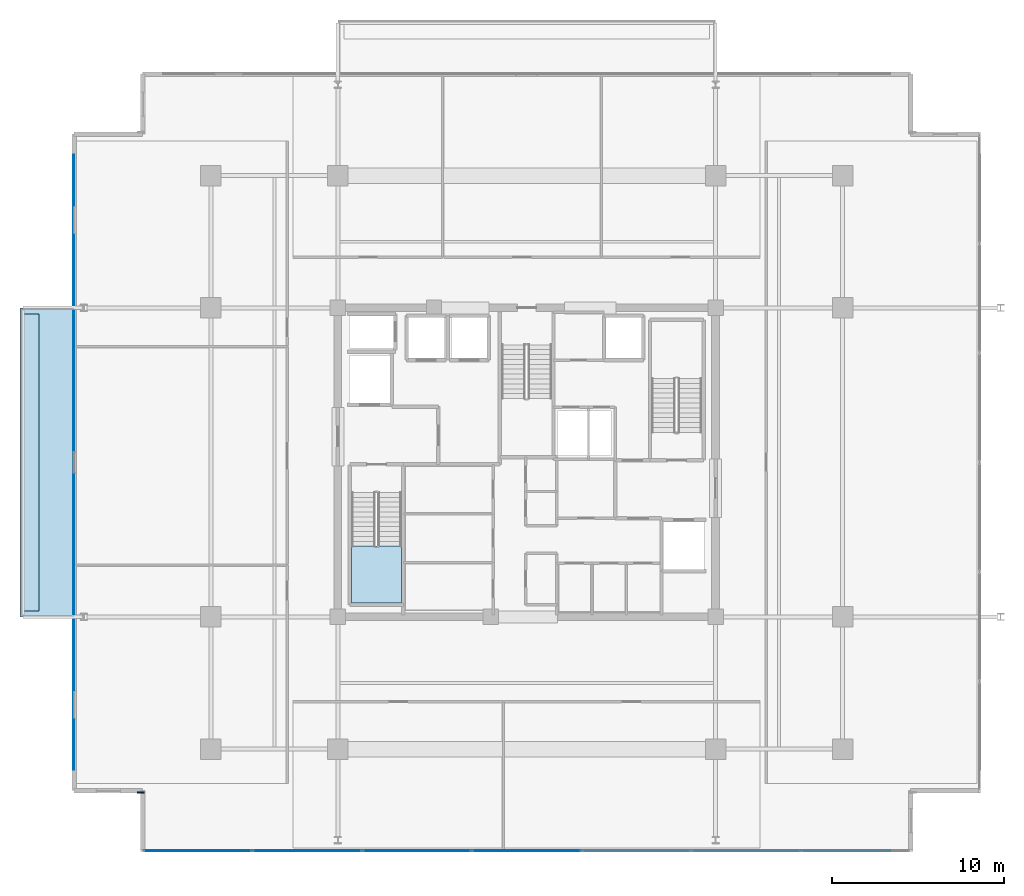
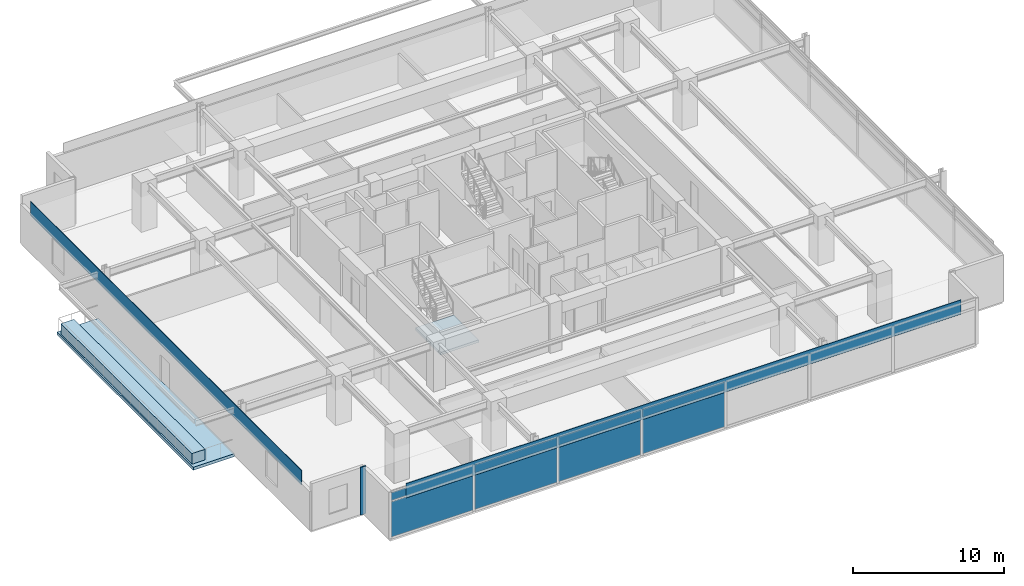
# One storey, part 12 of 21: 11 plates, 3 slabs, 2 elements without a shape of their own.
"""IFC4 building model written with IfcOpenShell, lengths in metres."""

from ifc_helpers import new_model, si_unit, direction, frame, origin, origin_2d, place, context, subcontext, project, spatial, polyline, rectangle, outline, extrude, material, layer, layer_set, type_object, element, aggregate, save


model = new_model("IFC4")

# Units and contexts
model_context = context("Model", 3, precision=1e-05, world=origin(), true_north=direction((0.0, 1.0)))
body_context = subcontext(model_context, "Body", "Model", "MODEL_VIEW")
ifc_project = project(units=[si_unit("LENGTHUNIT", "METRE"), si_unit("AREAUNIT", "SQUARE_METRE"), si_unit("VOLUMEUNIT", "CUBIC_METRE"), si_unit("PLANEANGLEUNIT", "RADIAN"), si_unit("MASSUNIT", "GRAM", prefix="KILO")], contexts=[model_context])

# Site, building, storey
site_placement = place(None, origin())
site = spatial("IfcSite", under=ifc_project, at=site_placement, CompositionType="ELEMENT")
building_placement = place(site_placement, origin())
building = spatial("IfcBuilding", under=site, at=building_placement, Name="Kovane Verandah Tower", CompositionType="ELEMENT")
storey_placement = place(building_placement, frame((0.0, 0.0, 247.199951171875)))
storey = spatial("IfcBuildingStorey", under=building, at=storey_placement, Name="L57", CompositionType="ELEMENT", Elevation=247.199951171875)

# Curtain wall, plates
ifc_material_1 = material(Name="Champagne Anodised Aluminium Frame with Low-E Clear Laminated Glass", Category="aluminium")
curtain_wall_type = type_object("IfcCurtainWallType", Name="CW-SYS-05-HIGH", PredefinedType="NOTDEFINED", material=ifc_material_1)
curtain_wall_placement = place(storey_placement, origin())
curtain_wall = element("IfcCurtainWall", 1, at=curtain_wall_placement, inside=storey, type_object=curtain_wall_type, Name="L57 S Unitised Curtain Wall", PredefinedType="NOTDEFINED")
ifc_material_2 = material(Name="Pale Champagne Anodised Aluminium Insulated Spandrel", Category="aluminium")
ifc_layer_1 = layer(ifc_material_2, 0.0400390625)
ifc_layer_set_1 = layer_set([ifc_layer_1], Name="Pale Champagne Anodised Aluminium Insulated Spandrel")
plate_type_1 = type_object("IfcPlateType", Name="PL-CW-SPD-40", PredefinedType="SHEET", material=ifc_layer_set_1)
plate_1_placement = place(storey_placement, frame((20.82861328125, 4.8818359375, 3.05517578125), z_axis=(0.0, 0.0, 1.0), x_axis=(1.0, 0.0, 0.0)))
plate_1 = element("IfcPlate", 2, at=plate_1_placement, type_object=plate_type_1, Name="L57 S Unitised Curtain Wall Spandrel Panel 1", PredefinedType="SHEET", context=body_context, shape_type="SweptSolid", body=[
    extrude(rectangle(XDim=6.25048828125, YDim=0.0400390625, at=origin_2d()), origin(), (0.0, 0.0, 1.0), 0.639892578125),
])
plate_2_placement = place(storey_placement, frame((27.218994140625, 4.8818359375, 3.05517578125), z_axis=(0.0, 0.0, 1.0), x_axis=(1.0, 0.0, 0.0)))
plate_2 = element("IfcPlate", 3, at=plate_2_placement, type_object=plate_type_1, Name="L57 S Unitised Curtain Wall Spandrel Panel 2", PredefinedType="SHEET", context=body_context, shape_type="SweptSolid", body=[
    extrude(rectangle(XDim=6.25048828125, YDim=0.0400390625, at=origin_2d()), origin(), (0.0, 0.0, 1.0), 0.639892578125),
])
plate_3_placement = place(storey_placement, frame((33.609619140625, 4.8818359375, 3.05517578125), z_axis=(0.0, 0.0, 1.0), x_axis=(1.0, 0.0, 0.0)))
plate_3 = element("IfcPlate", 4, at=plate_3_placement, type_object=plate_type_1, Name="L57 S Unitised Curtain Wall Spandrel Panel 3", PredefinedType="SHEET", context=body_context, shape_type="SweptSolid", body=[
    extrude(rectangle(XDim=6.25048828125, YDim=0.0400390625, at=origin_2d()), origin(), (0.0, 0.0, 1.0), 0.639892578125),
])
plate_4_placement = place(storey_placement, frame((40.0, 4.8818359375, 3.05517578125), z_axis=(0.0, 0.0, 1.0), x_axis=(1.0, 0.0, 0.0)))
plate_4 = element("IfcPlate", 5, at=plate_4_placement, type_object=plate_type_1, Name="L57 S Unitised Curtain Wall Spandrel Panel 4", PredefinedType="SHEET", context=body_context, shape_type="SweptSolid", body=[
    extrude(rectangle(XDim=6.25048828125, YDim=0.0400390625, at=origin_2d()), origin(), (0.0, 0.0, 1.0), 0.639892578125),
])
ifc_material_3 = material(Name="Clear Low-E Laminated Double Glazing", Category="glass")
ifc_layer_2 = layer(ifc_material_3, 0.031982421875)
ifc_layer_set_2 = layer_set([ifc_layer_2], Name="Clear Low-E Laminated Double Glazing")
plate_type_2 = type_object("IfcPlateType", Name="PL-CW-VIS-32", PredefinedType="CURTAIN_PANEL", material=ifc_layer_set_2)
plate_5_placement = place(storey_placement, frame((20.82861328125, 4.8818359375, 0.10009765625), z_axis=(0.0, 0.0, 1.0), x_axis=(1.0, 0.0, 0.0)))
plate_5 = element("IfcPlate", 6, at=plate_5_placement, type_object=plate_type_2, Name="L57 S Unitised Curtain Wall Vision Panel 1", PredefinedType="CURTAIN_PANEL", context=body_context, shape_type="SweptSolid", body=[
    extrude(rectangle(XDim=6.25048828125, YDim=0.031982421875, at=origin_2d()), origin(), (0.0, 0.0, 1.0), 2.85498046875),
])
plate_6_placement = place(storey_placement, frame((27.218994140625, 4.8818359375, 0.10009765625), z_axis=(0.0, 0.0, 1.0), x_axis=(1.0, 0.0, 0.0)))
plate_6 = element("IfcPlate", 7, at=plate_6_placement, type_object=plate_type_2, Name="L57 S Unitised Curtain Wall Vision Panel 2", PredefinedType="CURTAIN_PANEL", context=body_context, shape_type="SweptSolid", body=[
    extrude(rectangle(XDim=6.25048828125, YDim=0.031982421875, at=origin_2d()), origin(), (0.0, 0.0, 1.0), 2.85498046875),
])
plate_7_placement = place(storey_placement, frame((33.609619140625, 4.8818359375, 0.10009765625), z_axis=(0.0, 0.0, 1.0), x_axis=(1.0, 0.0, 0.0)))
plate_7 = element("IfcPlate", 8, at=plate_7_placement, type_object=plate_type_2, Name="L57 S Unitised Curtain Wall Vision Panel 3", PredefinedType="CURTAIN_PANEL", context=body_context, shape_type="SweptSolid", body=[
    extrude(rectangle(XDim=6.25048828125, YDim=0.031982421875, at=origin_2d()), origin(), (0.0, 0.0, 1.0), 2.85498046875),
])
plate_8_placement = place(storey_placement, frame((40.0, 4.8818359375, 0.10009765625), z_axis=(0.0, 0.0, 1.0), x_axis=(1.0, 0.0, 0.0)))
plate_8 = element("IfcPlate", 9, at=plate_8_placement, type_object=plate_type_2, Name="L57 S Unitised Curtain Wall Vision Panel 4", PredefinedType="CURTAIN_PANEL", context=body_context, shape_type="SweptSolid", body=[
    extrude(rectangle(XDim=6.25048828125, YDim=0.031982421875, at=origin_2d()), origin(), (0.0, 0.0, 1.0), 2.85498046875),
])
aggregate(curtain_wall, [plate_5, plate_1, plate_6, plate_2, plate_7, plate_3, plate_8, plate_4])

# Plates
ifc_material_4 = material(Name="Timber-Toned Subtropical Aluminium Vertical Blade", Category="wood")
ifc_layer_3 = layer(ifc_material_4, 0.090087890625)
ifc_layer_set_3 = layer_set([ifc_layer_3], Name="Timber-Toned Subtropical Aluminium Vertical Blade")
plate_type_3 = type_object("IfcPlateType", Name="PL-FIN-90", PredefinedType="USERDEFINED", material=ifc_layer_set_3)
plate_9_placement = place(storey_placement, frame((17.513427734375, 8.26171875, -0.02001953125), z_axis=(0.0, 0.0, 1.0), x_axis=(1.0, 0.0, 0.0)))
element("IfcPlate", 10, at=plate_9_placement, inside=storey, type_object=plate_type_3, Name="L57 SW Timber-Toned Vertical Corner Fin", ObjectType="FIN", PredefinedType="USERDEFINED", context=body_context, shape_type="SweptSolid", body=[
    extrude(rectangle(XDim=0.419921875, YDim=0.090087890625, at=origin_2d()), origin(), (0.0, 0.0, 1.0), 3.844970703125),
])
ifc_material_5 = material(Name="Perforated Pale Champagne Anodised Aluminium Solar Screen", Category="aluminium")
ifc_layer_4 = layer(ifc_material_5, 0.050048828125)
ifc_layer_set_4 = layer_set([ifc_layer_4], Name="Perforated Pale Champagne Anodised Aluminium Solar Screen")
plate_type_4 = type_object("IfcPlateType", Name="PL-SCREEN-50", PredefinedType="USERDEFINED", material=ifc_layer_set_4)
plate_10_placement = place(storey_placement, frame((40.0, 4.86669921875, 2.885009765625), z_axis=(0.0, 0.0, 1.0), x_axis=(1.0, 0.0, 0.0)))
element("IfcPlate", 11, at=plate_10_placement, inside=storey, type_object=plate_type_4, Name="L57 S Perforated Champagne-Gold Solar Screen", ObjectType="SCREEN", PredefinedType="USERDEFINED", context=body_context, shape_type="SweptSolid", body=[
    extrude(rectangle(XDim=42.3330078125, YDim=0.050048828125, at=origin_2d()), origin(), (0.0, 0.0, 1.0), 1.14990234375),
])
plate_11_placement = place(storey_placement, frame((13.618408203125, 27.5, 2.885009765625), z_axis=(0.0, 0.0, 1.0), x_axis=(0.0, -1.0, 0.0)))
element("IfcPlate", 12, at=plate_11_placement, inside=storey, type_object=plate_type_4, Name="L57 W Perforated Champagne-Gold Solar Screen", ObjectType="SCREEN", PredefinedType="USERDEFINED", context=body_context, shape_type="SweptSolid", body=[
    extrude(rectangle(XDim=35.8359375, YDim=0.050048828125, at=origin_2d()), origin(), (0.0, 0.0, 1.0), 1.14990234375),
])

# Slab
ifc_material_6 = material(Name="Concrete C45/55", Category="concrete")
ifc_layer_5 = layer(ifc_material_6, 0.239990234375)
ifc_layer_set_5 = layer_set([ifc_layer_5], Name="Concrete C45/55")
slab_type_1 = type_object("IfcSlabType", Name="SL-BALC-240", PredefinedType="FLOOR", material=ifc_layer_set_5)
slab_1_placement = place(storey_placement, frame((0.0, 0.0, -0.239990234375)))
element("IfcSlab", 13, at=slab_1_placement, inside=storey, type_object=slab_type_1, Name="L57 W Planted Verandah Balcony Slab", PredefinedType="FLOOR", context=body_context, shape_type="SweptSolid", body=[
    extrude(outline(polyline([(10.4833984375, 18.5), (13.633544921875, 18.5), (13.633544921875, 36.5), (10.4833984375, 36.5), (10.4833984375, 18.5)])), origin(), (0.0, 0.0, 1.0), 0.239990234375),
])

# Stair, slab
stair_type = type_object("IfcStairType", Name="ST-CORE-1380", PredefinedType="HALF_TURN_STAIR", material=ifc_material_6)
stair_placement = place(storey_placement, origin())
stair = element("IfcStair", 14, at=stair_placement, inside=storey, type_object=stair_type, Name="L57 Exit Stair ST-01", PredefinedType="HALF_TURN_STAIR")
ifc_layer_6 = layer(ifc_material_6, 0.199951171875)
ifc_layer_set_6 = layer_set([ifc_layer_6], Name="Concrete C45/55")
slab_type_2 = type_object("IfcSlabType", Name="SL-LAND-200", PredefinedType="LANDING", material=ifc_layer_set_6)
slab_2_placement = place(storey_placement, frame((0.0, 0.0, 1.800048828125)))
slab_2 = element("IfcSlab", 15, at=slab_2_placement, type_object=slab_type_2, Name="ST-01 landing 1", PredefinedType="LANDING", context=body_context, shape_type="SweptSolid", body=[
    extrude(outline(polyline([(29.800048828125, 22.614990234375), (29.800048828125, 19.300048828125), (32.719970703125, 19.300048828125), (32.719970703125, 22.614990234375), (29.800048828125, 22.614990234375)])), origin(), (0.0, 0.0, 1.0), 0.199951171875),
])
aggregate(stair, [slab_2])

# Slab
ifc_material_7 = material(Name="Architectural Precast Concrete C45/55 Planter Trough", Category="concrete")
ifc_layer_7 = layer(ifc_material_7, 0.219970703125)
ifc_layer_set_7 = layer_set([ifc_layer_7], Name="Architectural Precast Concrete C45/55 Planter Trough")
slab_type_3 = type_object("IfcSlabType", Name="SL-PLANTER-220", PredefinedType="USERDEFINED", material=ifc_layer_set_7)
slab_3_placement = place(storey_placement, origin())
element("IfcSlab", 16, at=slab_3_placement, inside=storey, type_object=slab_type_3, Name="L57 W Structural Tree Planter", ObjectType="PLANTER", PredefinedType="USERDEFINED", context=body_context, shape_type="SweptSolid", body=[
    extrude(outline(polyline([(10.58349609375, 18.85009765625), (11.58349609375, 18.85009765625), (11.58349609375, 36.14990234375), (10.58349609375, 36.14990234375), (10.58349609375, 18.85009765625)])), origin(), (0.0, 0.0, 1.0), 0.85009765625),
])

save(model, "model.ifc")
